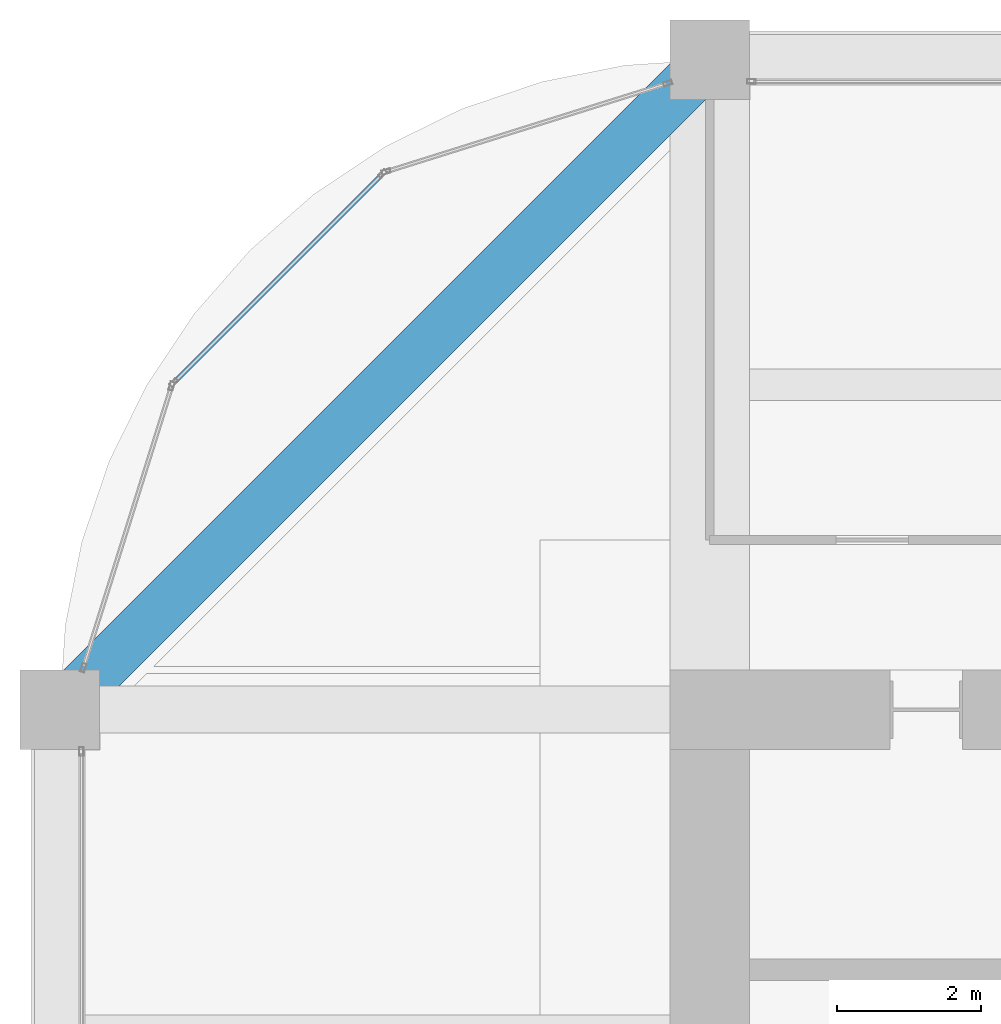
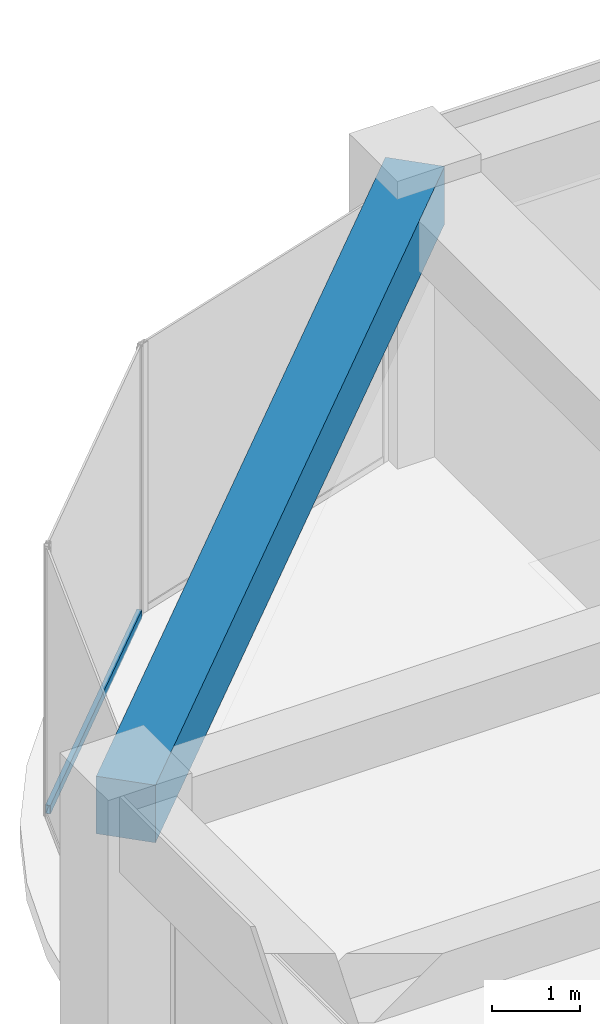
# One storey, part 29 of 44: 1 beam, 1 member, 1 element without a shape of its own.
"""IFC4 building model written with IfcOpenShell, lengths in metres."""

from ifc_helpers import new_model, si_unit, direction, frame, origin, origin_2d, place, context, subcontext, project, spatial, rectangle, hollow_rectangle, extrude, material, material_profile, profile_set, type_object, element, aggregate, save


model = new_model("IFC4")

# Units and contexts
model_context = context("Model", 3, precision=1e-05, world=origin(), true_north=direction((0.0, 1.0)))
body_context = subcontext(model_context, "Body", "Model", "MODEL_VIEW")
ifc_project = project(units=[si_unit("LENGTHUNIT", "METRE"), si_unit("AREAUNIT", "SQUARE_METRE"), si_unit("VOLUMEUNIT", "CUBIC_METRE"), si_unit("PLANEANGLEUNIT", "RADIAN"), si_unit("MASSUNIT", "GRAM", prefix="KILO")], contexts=[model_context])

# Site, building, storey
site_placement = place(None, origin())
site = spatial("IfcSite", under=ifc_project, at=site_placement, CompositionType="ELEMENT")
building_placement = place(site_placement, origin())
building = spatial("IfcBuilding", under=site, at=building_placement, Name="Zorevar Civic Tower", CompositionType="ELEMENT")
storey_placement = place(building_placement, frame((0.0, 0.0, 251.39990234375)))
storey = spatial("IfcBuildingStorey", under=building, at=storey_placement, Name="L61", CompositionType="ELEMENT", Elevation=251.39990234375)

# Curtain wall, member
ifc_material_1 = material(Name="Dark grey solar-control glass in black aluminium frame", Category="aluminium")
curtain_wall_type = type_object("IfcCurtainWallType", Name="Curtain wall CW5 top zone", PredefinedType="NOTDEFINED", material=ifc_material_1)
curtain_wall_placement = place(storey_placement, origin())
curtain_wall = element("IfcCurtainWall", 1, at=curtain_wall_placement, inside=storey, type_object=curtain_wall_type, Name="CW5 L61", PredefinedType="NOTDEFINED")
ifc_material_2 = material(Name="Aluminium, black anodised", Category="aluminium")
ifc_material_profile_1 = material_profile(ifc_material_2, hollow_rectangle(XDim=0.06005859375, YDim=0.1201171875, WallThickness=0.0029296875, at=origin_2d()), Name="AL 120x60x3")
ifc_profile_set_1 = profile_set([ifc_material_profile_1], Name="Aluminium, black anodised")
member_type = type_object("IfcMemberType", Name="CW5 transom AL 120x60x3", PredefinedType="USERDEFINED", material=ifc_profile_set_1)
member_placement = place(storey_placement, frame((13.44970703125, 43.3984375, 0.030029296875), z_axis=(-0.707106781187, -0.707106781187, 0.0), x_axis=(0.707106781187, -0.707106781187, 0.0)))
member = element("IfcMember", 2, at=member_placement, type_object=member_type, Name="CW5 sill transom", ObjectType="TRANSOM", PredefinedType="USERDEFINED", context=body_context, shape_type="SweptSolid", body=[
    extrude(hollow_rectangle(XDim=0.06005859375, YDim=0.1201171875, WallThickness=0.0029296875, at=origin_2d()), origin(), (0.0, 0.0, 1.0), 4.02783203125),
])
aggregate(curtain_wall, [member])

# Beam
ifc_material_3 = material(Name="Concrete C50/60", Category="concrete")
ifc_material_profile_2 = material_profile(ifc_material_3, rectangle(XDim=0.699951171875, YDim=0.800048828125, at=origin_2d()), Name="RC 700x800")
ifc_profile_set_2 = profile_set([ifc_material_profile_2], Name="Concrete C50/60")
beam_type = type_object("IfcBeamType", Name="Edge beam RC 700x800", PredefinedType="SPANDREL", material=ifc_profile_set_2)
beam_placement = place(storey_placement, frame((18.0, 45.0, 3.35009765625), z_axis=(-0.707106781187, -0.707106781187, 0.0), x_axis=(0.707106781187, -0.707106781187, 0.0)))
element("IfcBeam", 3, at=beam_placement, inside=storey, type_object=beam_type, Name="Corner edge beam L62", PredefinedType="SPANDREL", context=body_context, shape_type="SweptSolid", body=[
    extrude(rectangle(XDim=0.699951171875, YDim=0.800048828125, at=origin_2d()), origin(), (0.0, 0.0, 1.0), 12.72802734375),
])

save(model, "model.ifc")
